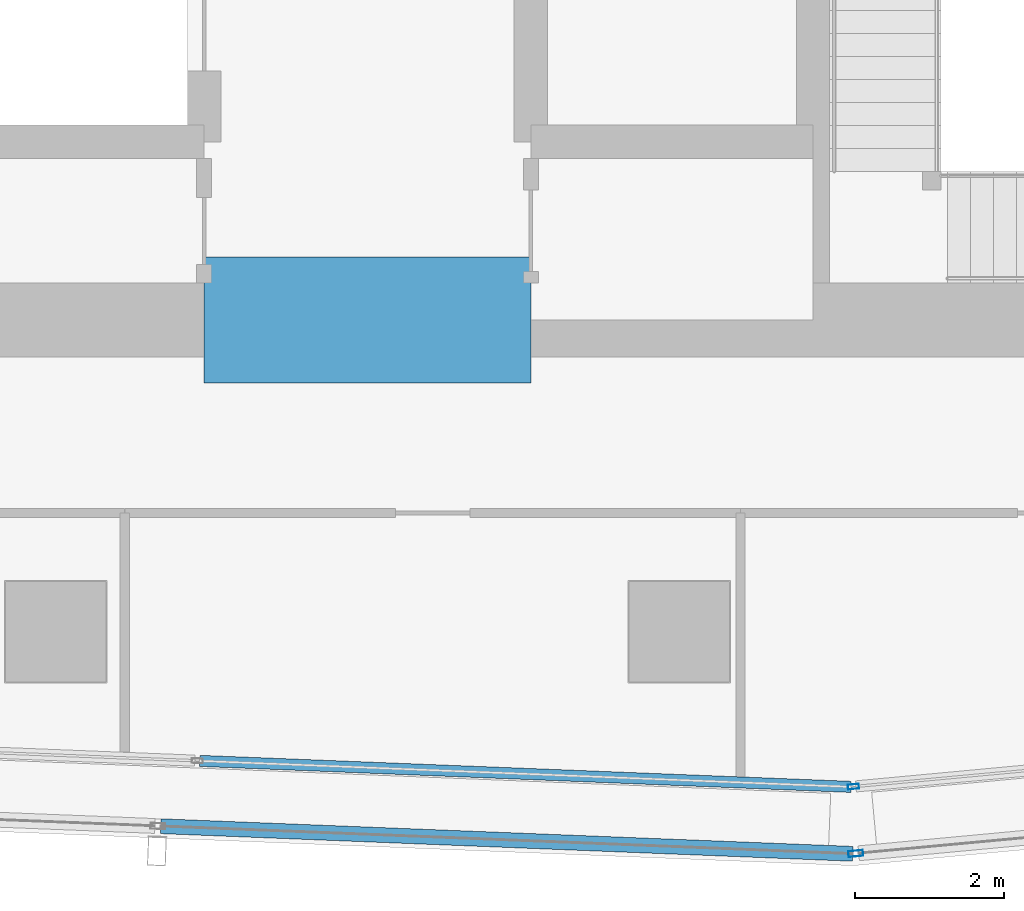
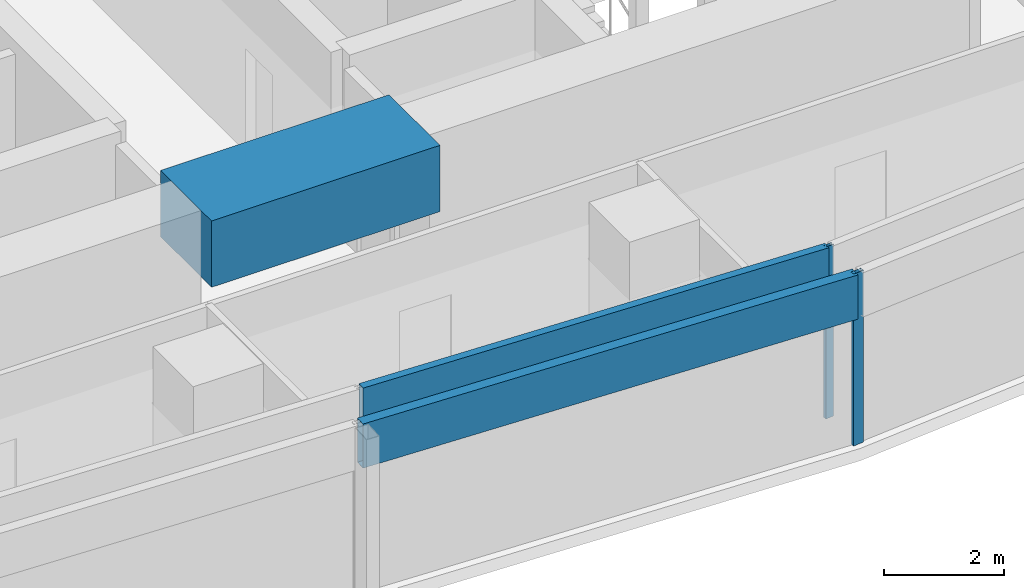
# One storey, part 10 of 39: 4 members, 1 beam, 4 elements without a shape of their own.
"""IFC4 building model written with IfcOpenShell, lengths in metres."""

from ifc_helpers import new_model, si_unit, direction, frame, origin, origin_2d, place, context, subcontext, project, spatial, rectangle, hollow_rectangle, extrude, material, material_profile, profile_set, type_object, element, aggregate, save


model = new_model("IFC4")

# Units and contexts
model_context = context("Model", 3, precision=1e-05, world=origin(), true_north=direction((0.0, 1.0)))
body_context = subcontext(model_context, "Body", "Model", "MODEL_VIEW")
ifc_project = project(units=[si_unit("LENGTHUNIT", "METRE"), si_unit("AREAUNIT", "SQUARE_METRE"), si_unit("VOLUMEUNIT", "CUBIC_METRE"), si_unit("PLANEANGLEUNIT", "RADIAN"), si_unit("MASSUNIT", "GRAM", prefix="KILO")], contexts=[model_context])

# Site, building, storey
site_placement = place(None, origin())
site = spatial("IfcSite", under=ifc_project, at=site_placement, CompositionType="ELEMENT")
building_placement = place(site_placement, origin())
building = spatial("IfcBuilding", under=site, at=building_placement, Name="Rekha Terrace Tower", CompositionType="ELEMENT")
storey_placement = place(building_placement, frame((0.0, 0.0, 187.699951171875)))
storey = spatial("IfcBuildingStorey", under=building, at=storey_placement, Name="L47", CompositionType="ELEMENT", Elevation=187.699951171875)

# Curtain wall, member
ifc_material_1 = material(Name="Aluminium framing", Category="aluminium")
curtain_wall_type_1 = type_object("IfcCurtainWallType", Name="CW1 double skin inner glazing", PredefinedType="USERDEFINED", material=ifc_material_1)
curtain_wall_1_placement = place(storey_placement, origin())
curtain_wall_1 = element("IfcCurtainWall", 1, at=curtain_wall_1_placement, inside=storey, type_object=curtain_wall_type_1, Name="CW1 double skin inner glazing", ObjectType="DOUBLE SKIN INNER GLAZING", PredefinedType="USERDEFINED")
ifc_material_2 = material(Name="Aluminium mullion section", Category="aluminium")
ifc_material_profile_1 = material_profile(ifc_material_2, hollow_rectangle(XDim=0.06494140625, YDim=0.14990234375, WallThickness=0.00390625, at=origin_2d()), Name="AL RHS 65x150")
ifc_profile_set_1 = profile_set([ifc_material_profile_1], Name="Aluminium mullion section")
member_type_1 = type_object("IfcMemberType", Name="CW1 mullion RHS 65 x 150", PredefinedType="MULLION", material=ifc_profile_set_1)
member_1_placement = place(storey_placement, frame((44.34423828125, 14.715087890625, 0.0), z_axis=(0.0, 0.0, 1.0), x_axis=(-0.092708869564, 0.995693258742, 0.0)))
member_1 = element("IfcMember", 2, at=member_1_placement, type_object=member_type_1, Name="CW1 mullion 1", PredefinedType="MULLION", context=body_context, shape_type="SweptSolid", body=[
    extrude(hollow_rectangle(XDim=0.06494140625, YDim=0.14990234375, WallThickness=0.00390625, at=origin_2d()), origin(), (0.0, 0.0, 1.0), 3.5),
])
aggregate(curtain_wall_1, [member_1])

curtain_wall_2_placement = place(storey_placement, origin())
curtain_wall_2 = element("IfcCurtainWall", 3, at=curtain_wall_2_placement, inside=storey, type_object=curtain_wall_type_1, Name="CW1 double skin inner glazing", ObjectType="DOUBLE SKIN INNER GLAZING", PredefinedType="USERDEFINED")
ifc_material_3 = material(Name="Insulated aluminium spandrel box", Category="aluminium")
ifc_material_profile_2 = material_profile(ifc_material_3, hollow_rectangle(XDim=0.14990234375, YDim=0.89990234375, WallThickness=0.0029296875, at=origin_2d()), Name="AL SPANDREL BOX 150x900")
ifc_profile_set_2 = profile_set([ifc_material_profile_2], Name="Insulated aluminium spandrel box")
member_type_2 = type_object("IfcMemberType", Name="CW1 spandrel transom 150 x 900", PredefinedType="USERDEFINED", material=ifc_profile_set_2)
member_2_placement = place(storey_placement, frame((35.5400390625, 15.06201171875, 3.050048828125), z_axis=(0.999204464505, -0.039880297311, 0.0), x_axis=(0.039880297311, 0.999204464505, 0.0)))
member_2 = element("IfcMember", 4, at=member_2_placement, type_object=member_type_2, Name="CW1 spandrel transom 4", ObjectType="TRANSOM", PredefinedType="USERDEFINED", context=body_context, shape_type="SweptSolid", body=[
    extrude(hollow_rectangle(XDim=0.14990234375, YDim=0.89990234375, WallThickness=0.0029296875, at=origin_2d()), origin(), (0.0, 0.0, 1.0), 8.77880859375),
])
aggregate(curtain_wall_2, [member_2])

curtain_wall_type_2 = type_object("IfcCurtainWallType", Name="CW2 double skin outer glazing", PredefinedType="USERDEFINED", material=ifc_material_1)
curtain_wall_3_placement = place(storey_placement, origin())
curtain_wall_3 = element("IfcCurtainWall", 5, at=curtain_wall_3_placement, inside=storey, type_object=curtain_wall_type_2, Name="CW2 double skin outer glazing", ObjectType="DOUBLE SKIN OUTER GLAZING", PredefinedType="USERDEFINED")
ifc_material_profile_3 = material_profile(ifc_material_2, hollow_rectangle(XDim=0.080078125, YDim=0.199951171875, WallThickness=0.00390625, at=origin_2d()), Name="AL RHS 80x200")
ifc_profile_set_3 = profile_set([ifc_material_profile_3], Name="Aluminium mullion section")
member_type_3 = type_object("IfcMemberType", Name="CW2 mullion RHS 80 x 200", PredefinedType="MULLION", material=ifc_profile_set_3)
member_3_placement = place(storey_placement, frame((44.37548828125, 13.81396484375, 0.0), z_axis=(0.0, 0.0, 1.0), x_axis=(-0.092708869512, 0.995693258747, 0.0)))
member_3 = element("IfcMember", 6, at=member_3_placement, type_object=member_type_3, Name="CW2 mullion 1", PredefinedType="MULLION", context=body_context, shape_type="SweptSolid", body=[
    extrude(hollow_rectangle(XDim=0.080078125, YDim=0.199951171875, WallThickness=0.00390625, at=origin_2d()), origin(), (0.0, 0.0, 1.0), 3.5),
])
aggregate(curtain_wall_3, [member_3])

curtain_wall_4_placement = place(storey_placement, origin())
curtain_wall_4 = element("IfcCurtainWall", 7, at=curtain_wall_4_placement, inside=storey, type_object=curtain_wall_type_2, Name="CW2 double skin outer glazing", ObjectType="DOUBLE SKIN OUTER GLAZING", PredefinedType="USERDEFINED")
ifc_material_profile_4 = material_profile(ifc_material_3, hollow_rectangle(XDim=0.199951171875, YDim=0.89990234375, WallThickness=0.0029296875, at=origin_2d()), Name="AL SPANDREL BOX 200x900")
ifc_profile_set_4 = profile_set([ifc_material_profile_4], Name="Insulated aluminium spandrel box")
member_type_4 = type_object("IfcMemberType", Name="CW2 spandrel transom 200 x 900", PredefinedType="USERDEFINED", material=ifc_profile_set_4)
member_4_placement = place(storey_placement, frame((35.01708984375, 14.18212890625, 3.050048828125), z_axis=(0.999204884837, -0.039869764458, 0.0), x_axis=(0.039869764458, 0.999204884837, 0.0)))
member_4 = element("IfcMember", 8, at=member_4_placement, type_object=member_type_4, Name="CW2 spandrel transom 4", ObjectType="TRANSOM", PredefinedType="USERDEFINED", context=body_context, shape_type="SweptSolid", body=[
    extrude(hollow_rectangle(XDim=0.199951171875, YDim=0.89990234375, WallThickness=0.0029296875, at=origin_2d()), origin(), (0.0, 0.0, 1.0), 9.325927734375),
])
aggregate(curtain_wall_4, [member_4])

# Beam
ifc_material_4 = material(Name="Concrete M60", Category="concrete")
ifc_material_profile_5 = material_profile(ifc_material_4, rectangle(XDim=1.699951171875, YDim=1.35009765625, at=origin_2d()), Name="RC 1700x1350")
ifc_profile_set_5 = profile_set([ifc_material_profile_5], Name="Concrete M60")
beam_type = type_object("IfcBeamType", Name="LB3A 1700x1350 diagonally reinforced coupling beam", PredefinedType="LINTEL", material=ifc_profile_set_5)
beam_placement = place(storey_placement, frame((35.60009765625, 21.0, 3.074951171875), z_axis=(1.0, 0.0, 0.0), x_axis=(0.0, 1.0, 0.0)))
element("IfcBeam", 9, at=beam_placement, inside=storey, type_object=beam_type, Name="Coupling beam LB3A S L47", PredefinedType="LINTEL", context=body_context, shape_type="SweptSolid", body=[
    extrude(rectangle(XDim=1.699951171875, YDim=1.35009765625, at=origin_2d()), origin(), (0.0, 0.0, 1.0), 4.39990234375),
])

save(model, "model.ifc")
